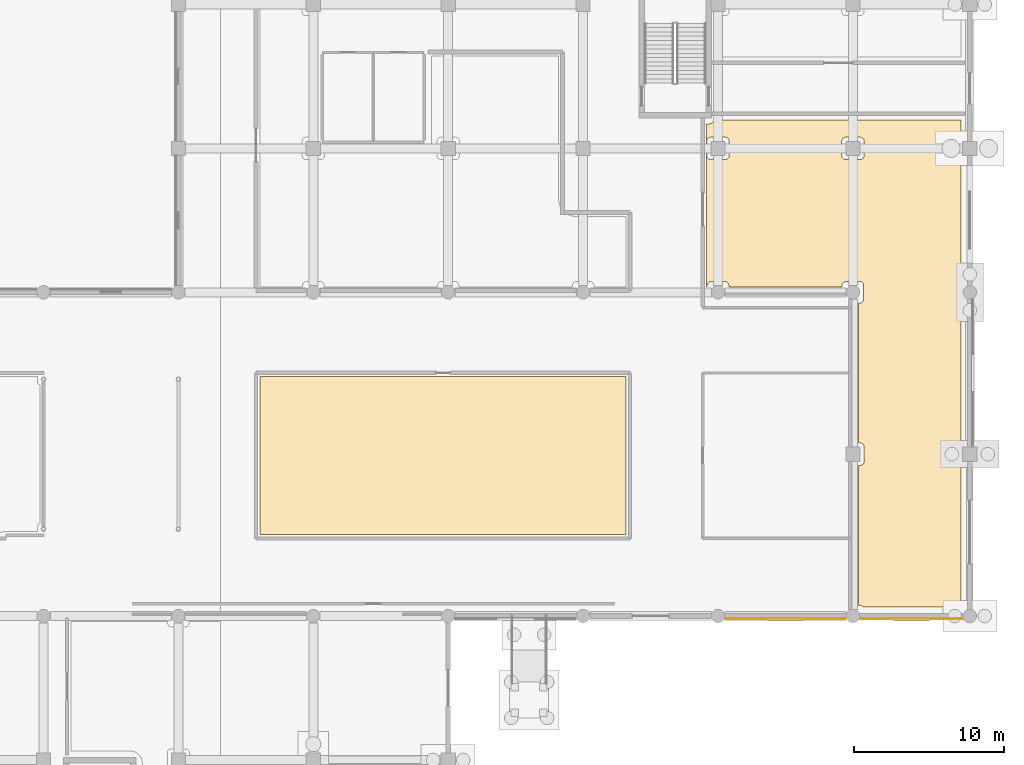
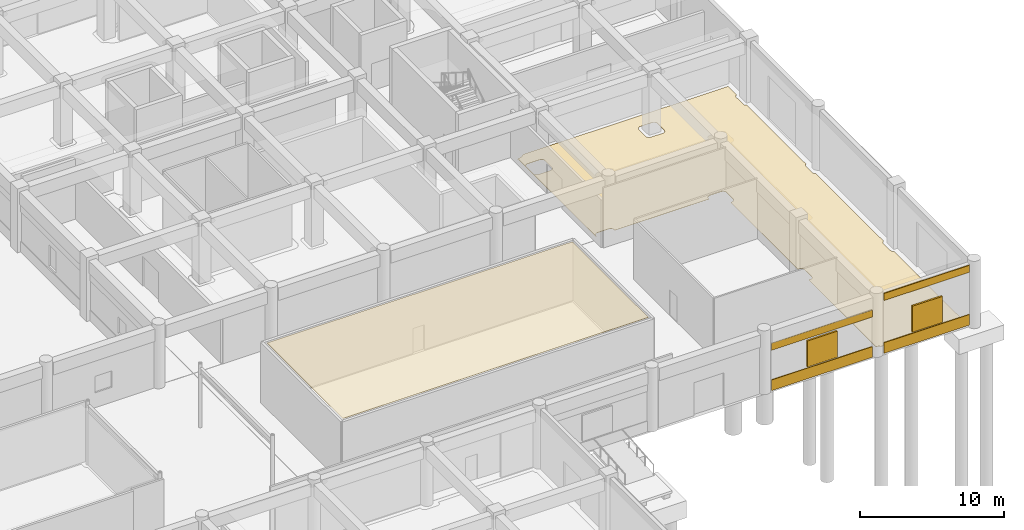
# One storey, part 69 of 74: 6 coverings, 2 shading devices.
"""IFC4 building model written with IfcOpenShell, lengths in metres."""

from ifc_helpers import new_model, si_unit, direction, frame, origin, origin_2d, place, context, subcontext, project, spatial, polyline, rectangle, outline, extrude, material, layer, layer_set, type_object, element, save


model = new_model("IFC4")

# Units and contexts
model_context = context("Model", 3, precision=1e-05, world=origin(), true_north=direction((0.0, 1.0)))
body_context = subcontext(model_context, "Body", "Model", "MODEL_VIEW")
ifc_project = project(units=[si_unit("LENGTHUNIT", "METRE"), si_unit("AREAUNIT", "SQUARE_METRE"), si_unit("VOLUMEUNIT", "CUBIC_METRE"), si_unit("PLANEANGLEUNIT", "RADIAN"), si_unit("MASSUNIT", "GRAM", prefix="KILO")], contexts=[model_context])

# Site, building, storey
site_placement = place(None, origin())
site = spatial("IfcSite", under=ifc_project, at=site_placement, CompositionType="ELEMENT")
building_placement = place(site_placement, origin())
building = spatial("IfcBuilding", under=site, at=building_placement, Name="Cendralis Terraced Arcade", CompositionType="ELEMENT")
storey_placement = place(building_placement, origin())
storey = spatial("IfcBuildingStorey", under=building, at=storey_placement, Name="L00", CompositionType="ELEMENT", Elevation=0.0)

# Coverings
ifc_material_1 = material(Name="Warm Andean oak timber", Category="wood")
ifc_layer_1 = layer(ifc_material_1, 0.034912109375, Name="COV-CEIL-OAK-35")
ifc_layer_set_1 = layer_set([ifc_layer_1], Name="Warm Andean oak timber")
covering_type_1 = type_object("IfcCoveringType", Name="COV-CEIL-OAK-35", PredefinedType="CEILING", material=ifc_layer_set_1)
covering_1_placement = place(storey_placement, frame((0.0, 0.0, 5.054931640625)))
element("IfcCovering", 1, at=covering_1_placement, inside=storey, type_object=covering_type_1, Name="Acoustic Soffit Ceiling L00-033", PredefinedType="CEILING", context=body_context, shape_type="SweptSolid", body=[
    extrude(outline(polyline([(151.070068359375, 43.830078125), (126.6298828125, 43.830078125), (126.6298828125, 54.3701171875), (151.070068359375, 54.3701171875), (151.070068359375, 43.830078125)])), origin(), (0.0, 0.0, 1.0), 0.03515625),
])
ifc_material_2 = material(Name="Precast concrete f'c 40 MPa", Category="concrete")
ifc_layer_2 = layer(ifc_material_2, 0.06494140625, Name="COV-CLAD-GRC-65")
ifc_layer_set_2 = layer_set([ifc_layer_2], Name="Precast concrete f'c 40 MPa")
covering_type_2 = type_object("IfcCoveringType", Name="COV-CLAD-GRC-65", PredefinedType="CLADDING", material=ifc_layer_set_2)
covering_2_placement = place(storey_placement, frame((170.10009765625, 38.2099609375, 0.0), z_axis=(0.0, 0.0, 1.0), x_axis=(-1.0, 0.0, 0.0)))
element("IfcCovering", 2, at=covering_2_placement, inside=storey, type_object=covering_type_2, Name="Banded Precast Stone Spandrel Cladding L00-065", PredefinedType="CLADDING", context=body_context, shape_type="SweptSolid", body=[
    extrude(rectangle(XDim=6.843994140625, YDim=0.06494140625, at=origin_2d()), origin(), (0.0, 0.0, 1.0), 0.89990234375),
])
covering_3_placement = place(storey_placement, frame((170.10009765625, 38.2099609375, 4.469970703125), z_axis=(0.0, 0.0, 1.0), x_axis=(-1.0, 0.0, 0.0)))
element("IfcCovering", 3, at=covering_3_placement, inside=storey, type_object=covering_type_2, Name="Banded Precast Stone Lintel Cladding L00-066", PredefinedType="CLADDING", context=body_context, shape_type="SweptSolid", body=[
    extrude(rectangle(XDim=6.843994140625, YDim=0.06494140625, at=origin_2d()), origin(), (0.0, 0.0, 1.0), 0.60009765625),
])
covering_4_placement = place(storey_placement, frame((161.699951171875, 38.2099609375, 0.0), z_axis=(0.0, 0.0, 1.0), x_axis=(-1.0, 0.0, 0.0)))
element("IfcCovering", 4, at=covering_4_placement, inside=storey, type_object=covering_type_2, Name="Banded Precast Stone Spandrel Cladding L00-067", PredefinedType="CLADDING", context=body_context, shape_type="SweptSolid", body=[
    extrude(rectangle(XDim=8.0439453125, YDim=0.06494140625, at=origin_2d()), origin(), (0.0, 0.0, 1.0), 0.89990234375),
])
covering_5_placement = place(storey_placement, frame((161.699951171875, 38.2099609375, 3.409912109375), z_axis=(0.0, 0.0, 1.0), x_axis=(-1.0, 0.0, 0.0)))
element("IfcCovering", 5, at=covering_5_placement, inside=storey, type_object=covering_type_2, Name="Banded Precast Stone Lintel Cladding L00-068", PredefinedType="CLADDING", context=body_context, shape_type="SweptSolid", body=[
    extrude(rectangle(XDim=8.0439453125, YDim=0.06494140625, at=origin_2d()), origin(), (0.0, 0.0, 1.0), 0.60009765625),
])
ifc_layer_3 = layer(ifc_material_1, 0.02197265625, Name="COV-FLR-OAK-22")
ifc_layer_set_3 = layer_set([ifc_layer_3], Name="Warm Andean oak timber")
covering_type_3 = type_object("IfcCoveringType", Name="COV-FLR-OAK-22", PredefinedType="FLOORING", material=ifc_layer_set_3)
covering_6_placement = place(storey_placement, origin())
element("IfcCovering", 6, at=covering_6_placement, inside=storey, type_object=covering_type_3, Name="Interior Finish Flooring L00-047", PredefinedType="FLOORING", context=body_context, shape_type="SweptSolid", body=[
    extrude(outline(polyline([(156.406005859375, 71.210205078125), (156.412109375, 71.210205078125), (156.418212890625, 71.21044921875), (156.459228515625, 71.21240234375), (156.4716796875, 71.21337890625), (156.4833984375, 71.214599609375), (156.49560546875, 71.216064453125), (156.5361328125, 71.22216796875), (156.54833984375, 71.22412109375), (156.559814453125, 71.2265625), (156.57177734375, 71.229248046875), (156.61181640625, 71.2392578125), (156.62353515625, 71.242431640625), (156.635009765625, 71.245849609375), (156.646484375, 71.249755859375), (156.685302734375, 71.263671875), (156.69677734375, 71.26806640625), (156.707763671875, 71.2724609375), (156.718994140625, 71.277587890625), (156.756103515625, 71.295166015625), (156.76708984375, 71.300537109375), (156.777587890625, 71.30615234375), (156.7880859375, 71.312255859375), (156.823486328125, 71.33349609375), (156.833984375, 71.340087890625), (156.84375, 71.346435546875), (156.853759765625, 71.353515625), (156.886962890625, 71.378173828125), (156.896484375, 71.3857421875), (156.905517578125, 71.393310546875), (156.914794921875, 71.401123046875), (156.945556640625, 71.428955078125), (156.954345703125, 71.437255859375), (156.962646484375, 71.44580078125), (156.97119140625, 71.45458984375), (156.998779296875, 71.485107421875), (157.003173828125, 71.489990234375), (173.409912109375, 71.489990234375), (173.409912109375, 70.3193359375), (173.40869140625, 70.318603515625), (173.386962890625, 70.30712890625), (173.385498046875, 70.30615234375), (173.364990234375, 70.29248046875), (173.36328125, 70.291259765625), (173.344482421875, 70.275634765625), (173.343017578125, 70.2744140625), (173.32568359375, 70.257080078125), (173.32421875, 70.255615234375), (173.30859375, 70.236572265625), (173.3076171875, 70.235107421875), (173.2939453125, 70.214599609375), (173.29296875, 70.212890625), (173.281494140625, 70.19140625), (173.280517578125, 70.189453125), (173.27099609375, 70.1669921875), (173.2705078125, 70.1650390625), (173.263427734375, 70.1416015625), (173.262939453125, 70.1396484375), (173.258056640625, 70.115478515625), (173.2578125, 70.113525390625), (173.25537109375, 70.089111328125), (173.25537109375, 70.08740234375), (173.2548828125, 70.074951171875), (173.2548828125, 69.125), (173.25537109375, 69.11279296875), (173.25537109375, 69.11083984375), (173.2578125, 69.08642578125), (173.258056640625, 69.08447265625), (173.262939453125, 69.060302734375), (173.263427734375, 69.058349609375), (173.2705078125, 69.034912109375), (173.27099609375, 69.033203125), (173.280517578125, 69.010498046875), (173.281494140625, 69.0087890625), (173.29296875, 68.987060546875), (173.2939453125, 68.9853515625), (173.3076171875, 68.965087890625), (173.30859375, 68.96337890625), (173.32421875, 68.9443359375), (173.32568359375, 68.943115234375), (173.343017578125, 68.925537109375), (173.344482421875, 68.92431640625), (173.36328125, 68.90869140625), (173.364990234375, 68.90771484375), (173.385498046875, 68.893798828125), (173.386962890625, 68.892822265625), (173.40869140625, 68.88134765625), (173.409912109375, 68.880615234375), (173.409912109375, 60.680908203125), (173.389892578125, 60.66748046875), (173.388427734375, 60.666259765625), (173.369384765625, 60.650634765625), (173.367919921875, 60.6494140625), (173.3505859375, 60.632080078125), (173.349365234375, 60.630615234375), (173.333740234375, 60.611572265625), (173.33251953125, 60.610107421875), (173.31884765625, 60.589599609375), (173.31787109375, 60.587890625), (173.306396484375, 60.56640625), (173.305419921875, 60.564453125), (173.296142578125, 60.5419921875), (173.29541015625, 60.5400390625), (173.288330078125, 60.5166015625), (173.287841796875, 60.5146484375), (173.283203125, 60.490478515625), (173.28271484375, 60.488525390625), (173.280517578125, 60.464111328125), (173.2802734375, 60.46240234375), (173.280029296875, 60.449951171875), (173.280029296875, 59.550048828125), (173.2802734375, 59.53759765625), (173.280517578125, 59.535888671875), (173.28271484375, 59.511474609375), (173.283203125, 59.509521484375), (173.287841796875, 59.4853515625), (173.288330078125, 59.4833984375), (173.29541015625, 59.4599609375), (173.296142578125, 59.4580078125), (173.305419921875, 59.435546875), (173.306396484375, 59.43359375), (173.31787109375, 59.412109375), (173.31884765625, 59.410400390625), (173.33251953125, 59.389892578125), (173.333740234375, 59.388427734375), (173.349365234375, 59.369384765625), (173.3505859375, 59.367919921875), (173.367919921875, 59.3505859375), (173.369384765625, 59.349365234375), (173.388427734375, 59.333740234375), (173.389892578125, 59.33251953125), (173.409912109375, 59.319091796875), (173.409912109375, 49.919189453125), (173.40869140625, 49.918701171875), (173.386962890625, 49.906982421875), (173.385498046875, 49.906005859375), (173.364990234375, 49.892333984375), (173.36328125, 49.891357421875), (173.344482421875, 49.875732421875), (173.343017578125, 49.87451171875), (173.32568359375, 49.85693359375), (173.32421875, 49.855712890625), (173.30859375, 49.836669921875), (173.3076171875, 49.8349609375), (173.2939453125, 49.814697265625), (173.29296875, 49.81298828125), (173.281494140625, 49.791259765625), (173.280517578125, 49.78955078125), (173.27099609375, 49.766845703125), (173.2705078125, 49.764892578125), (173.263427734375, 49.74169921875), (173.262939453125, 49.739501953125), (173.258056640625, 49.715576171875), (173.2578125, 49.713623046875), (173.25537109375, 49.689208984375), (173.25537109375, 49.687255859375), (173.2548828125, 49.675048828125), (173.2548828125, 48.72509765625), (173.25537109375, 48.712646484375), (173.25537109375, 48.710693359375), (173.2578125, 48.686279296875), (173.258056640625, 48.684326171875), (173.262939453125, 48.660400390625), (173.263427734375, 48.658447265625), (173.2705078125, 48.635009765625), (173.27099609375, 48.633056640625), (173.280517578125, 48.610595703125), (173.281494140625, 48.608642578125), (173.29296875, 48.5869140625), (173.2939453125, 48.58544921875), (173.3076171875, 48.56494140625), (173.30859375, 48.5634765625), (173.32421875, 48.54443359375), (173.32568359375, 48.54296875), (173.343017578125, 48.525634765625), (173.344482421875, 48.5244140625), (173.36328125, 48.5087890625), (173.364990234375, 48.507568359375), (173.385498046875, 48.493896484375), (173.386962890625, 48.492919921875), (173.40869140625, 48.4814453125), (173.409912109375, 48.480712890625), (173.409912109375, 39.080810546875), (173.389892578125, 39.0673828125), (173.388427734375, 39.06640625), (173.369384765625, 39.05078125), (173.367919921875, 39.04931640625), (173.3505859375, 39.031982421875), (173.349365234375, 39.030517578125), (173.333740234375, 39.01171875), (173.33251953125, 39.010009765625), (173.319091796875, 38.989990234375), (166.880859375, 38.989990234375), (166.867431640625, 39.010009765625), (166.8662109375, 39.01171875), (166.8505859375, 39.030517578125), (166.849365234375, 39.031982421875), (166.83203125, 39.04931640625), (166.83056640625, 39.05078125), (166.8115234375, 39.06640625), (166.81005859375, 39.0673828125), (166.78955078125, 39.0810546875), (166.7880859375, 39.08203125), (166.766357421875, 39.093505859375), (166.764404296875, 39.094482421875), (166.741943359375, 39.10400390625), (166.739990234375, 39.1044921875), (166.716552734375, 39.111572265625), (166.714599609375, 39.112060546875), (166.690673828125, 39.116943359375), (166.688720703125, 39.1171875), (166.664306640625, 39.11962890625), (166.662353515625, 39.11962890625), (166.64990234375, 39.1201171875), (166.570068359375, 39.1201171875), (166.570068359375, 48.455078125), (166.675048828125, 48.455078125), (166.687255859375, 48.455322265625), (166.689208984375, 48.455322265625), (166.713623046875, 48.457763671875), (166.715576171875, 48.4580078125), (166.739501953125, 48.462890625), (166.74169921875, 48.46337890625), (166.764892578125, 48.470458984375), (166.766845703125, 48.47119140625), (166.78955078125, 48.48046875), (166.791259765625, 48.4814453125), (166.81298828125, 48.492919921875), (166.814697265625, 48.493896484375), (166.8349609375, 48.507568359375), (166.836669921875, 48.5087890625), (166.855712890625, 48.5244140625), (166.85693359375, 48.525634765625), (166.87451171875, 48.54296875), (166.875732421875, 48.54443359375), (166.891357421875, 48.5634765625), (166.892333984375, 48.56494140625), (166.906005859375, 48.58544921875), (166.906982421875, 48.5869140625), (166.918701171875, 48.608642578125), (166.91943359375, 48.610595703125), (166.928955078125, 48.633056640625), (166.929443359375, 48.635009765625), (166.9365234375, 48.658447265625), (166.93701171875, 48.660400390625), (166.94189453125, 48.684326171875), (166.942138671875, 48.686279296875), (166.944580078125, 48.710693359375), (166.944580078125, 48.712646484375), (166.945068359375, 48.72509765625), (166.945068359375, 49.675048828125), (166.944580078125, 49.687255859375), (166.944580078125, 49.689208984375), (166.942138671875, 49.713623046875), (166.94189453125, 49.715576171875), (166.93701171875, 49.739501953125), (166.9365234375, 49.74169921875), (166.929443359375, 49.764892578125), (166.928955078125, 49.766845703125), (166.91943359375, 49.78955078125), (166.918701171875, 49.791259765625), (166.906982421875, 49.81298828125), (166.906005859375, 49.814697265625), (166.892333984375, 49.8349609375), (166.891357421875, 49.836669921875), (166.875732421875, 49.855712890625), (166.87451171875, 49.85693359375), (166.85693359375, 49.87451171875), (166.855712890625, 49.875732421875), (166.836669921875, 49.891357421875), (166.8349609375, 49.892333984375), (166.814697265625, 49.906005859375), (166.81298828125, 49.906982421875), (166.791259765625, 49.918701171875), (166.78955078125, 49.91943359375), (166.766845703125, 49.928955078125), (166.764892578125, 49.929443359375), (166.74169921875, 49.9365234375), (166.739501953125, 49.93701171875), (166.715576171875, 49.94189453125), (166.713623046875, 49.942138671875), (166.689208984375, 49.944580078125), (166.687255859375, 49.944580078125), (166.675048828125, 49.945068359375), (166.570068359375, 49.945068359375), (166.570068359375, 59.280029296875), (166.64990234375, 59.280029296875), (166.662353515625, 59.2802734375), (166.664306640625, 59.280517578125), (166.688720703125, 59.28271484375), (166.690673828125, 59.283203125), (166.714599609375, 59.287841796875), (166.716552734375, 59.288330078125), (166.739990234375, 59.29541015625), (166.741943359375, 59.296142578125), (166.764404296875, 59.305419921875), (166.766357421875, 59.306396484375), (166.7880859375, 59.31787109375), (166.78955078125, 59.31884765625), (166.81005859375, 59.33251953125), (166.8115234375, 59.333740234375), (166.83056640625, 59.349365234375), (166.83203125, 59.3505859375), (166.849365234375, 59.367919921875), (166.8505859375, 59.369384765625), (166.8662109375, 59.388427734375), (166.867431640625, 59.389892578125), (166.881103515625, 59.410400390625), (166.882080078125, 59.412109375), (166.8935546875, 59.43359375), (166.89453125, 59.435546875), (166.90380859375, 59.4580078125), (166.904541015625, 59.4599609375), (166.91162109375, 59.4833984375), (166.912109375, 59.4853515625), (166.9169921875, 59.509521484375), (166.917236328125, 59.511474609375), (166.919677734375, 59.535888671875), (166.919677734375, 59.53759765625), (166.919921875, 59.550048828125), (166.919921875, 60.449951171875), (166.919677734375, 60.46240234375), (166.919677734375, 60.464111328125), (166.917236328125, 60.488525390625), (166.9169921875, 60.490478515625), (166.912109375, 60.5146484375), (166.91162109375, 60.5166015625), (166.904541015625, 60.5400390625), (166.90380859375, 60.5419921875), (166.89453125, 60.564453125), (166.8935546875, 60.56640625), (166.882080078125, 60.587890625), (166.881103515625, 60.589599609375), (166.867431640625, 60.610107421875), (166.8662109375, 60.611572265625), (166.8505859375, 60.630615234375), (166.849365234375, 60.632080078125), (166.83203125, 60.6494140625), (166.83056640625, 60.650634765625), (166.8115234375, 60.666259765625), (166.81005859375, 60.66748046875), (166.78955078125, 60.68115234375), (166.7880859375, 60.68212890625), (166.766357421875, 60.693603515625), (166.764404296875, 60.694580078125), (166.741943359375, 60.703857421875), (166.739990234375, 60.70458984375), (166.716552734375, 60.711669921875), (166.714599609375, 60.712158203125), (166.690673828125, 60.716796875), (166.688720703125, 60.71728515625), (166.664306640625, 60.719482421875), (166.662353515625, 60.7197265625), (166.64990234375, 60.719970703125), (165.75, 60.719970703125), (165.73779296875, 60.7197265625), (165.73583984375, 60.719482421875), (165.71142578125, 60.71728515625), (165.70947265625, 60.716796875), (165.685302734375, 60.712158203125), (165.683349609375, 60.711669921875), (165.659912109375, 60.70458984375), (165.658203125, 60.703857421875), (165.635498046875, 60.694580078125), (165.6337890625, 60.693603515625), (165.612060546875, 60.68212890625), (165.6103515625, 60.68115234375), (165.590087890625, 60.66748046875), (165.58837890625, 60.666259765625), (165.5693359375, 60.650634765625), (165.568115234375, 60.6494140625), (165.550537109375, 60.632080078125), (165.54931640625, 60.630615234375), (165.53369140625, 60.611572265625), (165.53271484375, 60.610107421875), (165.518798828125, 60.589599609375), (165.517822265625, 60.587890625), (165.50634765625, 60.56640625), (165.505615234375, 60.564453125), (165.49609375, 60.5419921875), (165.49560546875, 60.5400390625), (165.48828125, 60.5166015625), (165.48779296875, 60.5146484375), (165.483154296875, 60.490478515625), (165.48291015625, 60.488525390625), (165.48046875, 60.464111328125), (165.480224609375, 60.46240234375), (165.47998046875, 60.449951171875), (165.47998046875, 60.3701171875), (157.919921875, 60.3701171875), (157.919921875, 60.449951171875), (157.919677734375, 60.46240234375), (157.919677734375, 60.464111328125), (157.917236328125, 60.488525390625), (157.9169921875, 60.490478515625), (157.912109375, 60.5146484375), (157.91162109375, 60.5166015625), (157.904541015625, 60.5400390625), (157.90380859375, 60.5419921875), (157.89453125, 60.564453125), (157.8935546875, 60.56640625), (157.882080078125, 60.587890625), (157.881103515625, 60.589599609375), (157.867431640625, 60.610107421875), (157.8662109375, 60.611572265625), (157.8505859375, 60.630615234375), (157.849365234375, 60.632080078125), (157.83203125, 60.6494140625), (157.83056640625, 60.650634765625), (157.8115234375, 60.666259765625), (157.81005859375, 60.66748046875), (157.78955078125, 60.68115234375), (157.7880859375, 60.68212890625), (157.766357421875, 60.693603515625), (157.764404296875, 60.694580078125), (157.741943359375, 60.703857421875), (157.739990234375, 60.70458984375), (157.716552734375, 60.711669921875), (157.714599609375, 60.712158203125), (157.690673828125, 60.716796875), (157.688720703125, 60.71728515625), (157.664306640625, 60.719482421875), (157.662353515625, 60.7197265625), (157.64990234375, 60.719970703125), (156.75, 60.719970703125), (156.73779296875, 60.7197265625), (156.73583984375, 60.719482421875), (156.71142578125, 60.71728515625), (156.70947265625, 60.716796875), (156.685302734375, 60.712158203125), (156.683349609375, 60.711669921875), (156.659912109375, 60.70458984375), (156.658203125, 60.703857421875), (156.635498046875, 60.694580078125), (156.6337890625, 60.693603515625), (156.612060546875, 60.68212890625), (156.6103515625, 60.68115234375), (156.590087890625, 60.66748046875), (156.58837890625, 60.666259765625), (156.5693359375, 60.650634765625), (156.568115234375, 60.6494140625), (156.550537109375, 60.632080078125), (156.54931640625, 60.630615234375), (156.53369140625, 60.611572265625), (156.53271484375, 60.610107421875), (156.518798828125, 60.589599609375), (156.517822265625, 60.587890625), (156.50634765625, 60.56640625), (156.505615234375, 60.564453125), (156.49609375, 60.5419921875), (156.49560546875, 60.5400390625), (156.48828125, 60.5166015625), (156.48779296875, 60.5146484375), (156.483154296875, 60.490478515625), (156.48291015625, 60.488525390625), (156.48046875, 60.464111328125), (156.480224609375, 60.46240234375), (156.47998046875, 60.449951171875), (156.47998046875, 60.3701171875), (156.429931640625, 60.3701171875), (156.429931640625, 70.9599609375), (156.429931640625, 70.963134765625), (156.429931640625, 70.966064453125), (156.429931640625, 70.968994140625), (156.4296875, 70.97509765625), (156.4296875, 70.97802734375), (156.429443359375, 70.98095703125), (156.429443359375, 70.98388671875), (156.426513671875, 71.044921875), (156.426025390625, 71.05078125), (156.425537109375, 71.056884765625), (156.425048828125, 71.06298828125), (156.423828125, 71.07470703125), (156.42333984375, 71.080810546875), (156.422607421875, 71.086669921875), (156.421630859375, 71.0927734375), (156.412841796875, 71.15283203125), (156.411865234375, 71.158935546875), (156.410888671875, 71.164794921875), (156.40966796875, 71.170654296875), (156.407470703125, 71.182373046875), (156.406005859375, 71.188232421875), (156.40478515625, 71.194091796875), (156.4033203125, 71.199951171875), (156.40087890625, 71.2099609375), (156.406005859375, 71.210205078125)]), holes=[polyline([(165.58544921875, 68.893798828125), (165.5869140625, 68.892822265625), (165.608642578125, 68.88134765625), (165.610595703125, 68.880615234375), (165.633056640625, 68.87109375), (165.635009765625, 68.87060546875), (165.658447265625, 68.86328125), (165.660400390625, 68.86279296875), (165.684326171875, 68.858154296875), (165.686279296875, 68.85791015625), (165.710693359375, 68.85546875), (165.712646484375, 68.855224609375), (165.72509765625, 68.85498046875), (166.675048828125, 68.85498046875), (166.687255859375, 68.855224609375), (166.689208984375, 68.85546875), (166.713623046875, 68.85791015625), (166.715576171875, 68.858154296875), (166.739501953125, 68.86279296875), (166.74169921875, 68.86328125), (166.764892578125, 68.87060546875), (166.766845703125, 68.87109375), (166.78955078125, 68.880615234375), (166.791259765625, 68.88134765625), (166.81298828125, 68.892822265625), (166.814697265625, 68.893798828125), (166.8349609375, 68.90771484375), (166.836669921875, 68.90869140625), (166.855712890625, 68.92431640625), (166.85693359375, 68.925537109375), (166.87451171875, 68.943115234375), (166.875732421875, 68.9443359375), (166.891357421875, 68.96337890625), (166.892333984375, 68.965087890625), (166.906005859375, 68.9853515625), (166.906982421875, 68.987060546875), (166.918701171875, 69.0087890625), (166.91943359375, 69.010498046875), (166.928955078125, 69.033203125), (166.929443359375, 69.034912109375), (166.9365234375, 69.058349609375), (166.93701171875, 69.060302734375), (166.94189453125, 69.08447265625), (166.942138671875, 69.08642578125), (166.944580078125, 69.11083984375), (166.944580078125, 69.11279296875), (166.945068359375, 69.125), (166.945068359375, 70.074951171875), (166.944580078125, 70.08740234375), (166.944580078125, 70.089111328125), (166.942138671875, 70.113525390625), (166.94189453125, 70.115478515625), (166.93701171875, 70.1396484375), (166.9365234375, 70.1416015625), (166.929443359375, 70.1650390625), (166.928955078125, 70.1669921875), (166.91943359375, 70.189453125), (166.918701171875, 70.19140625), (166.906982421875, 70.212890625), (166.906005859375, 70.214599609375), (166.892333984375, 70.235107421875), (166.891357421875, 70.236572265625), (166.875732421875, 70.255615234375), (166.87451171875, 70.257080078125), (166.85693359375, 70.2744140625), (166.855712890625, 70.275634765625), (166.836669921875, 70.291259765625), (166.8349609375, 70.29248046875), (166.814697265625, 70.30615234375), (166.81298828125, 70.30712890625), (166.791259765625, 70.318603515625), (166.78955078125, 70.319580078125), (166.766845703125, 70.328857421875), (166.764892578125, 70.32958984375), (166.74169921875, 70.336669921875), (166.739501953125, 70.337158203125), (166.715576171875, 70.341796875), (166.713623046875, 70.34228515625), (166.689208984375, 70.344482421875), (166.687255859375, 70.3447265625), (166.675048828125, 70.344970703125), (165.72509765625, 70.344970703125), (165.712646484375, 70.3447265625), (165.710693359375, 70.344482421875), (165.686279296875, 70.34228515625), (165.684326171875, 70.341796875), (165.660400390625, 70.337158203125), (165.658447265625, 70.336669921875), (165.635009765625, 70.32958984375), (165.633056640625, 70.328857421875), (165.610595703125, 70.319580078125), (165.608642578125, 70.318603515625), (165.5869140625, 70.30712890625), (165.58544921875, 70.30615234375), (165.56494140625, 70.29248046875), (165.5634765625, 70.291259765625), (165.54443359375, 70.275634765625), (165.54296875, 70.2744140625), (165.525634765625, 70.257080078125), (165.5244140625, 70.255615234375), (165.5087890625, 70.236572265625), (165.507568359375, 70.235107421875), (165.493896484375, 70.214599609375), (165.492919921875, 70.212890625), (165.4814453125, 70.19140625), (165.48046875, 70.189453125), (165.47119140625, 70.1669921875), (165.470458984375, 70.1650390625), (165.46337890625, 70.1416015625), (165.462890625, 70.1396484375), (165.4580078125, 70.115478515625), (165.457763671875, 70.113525390625), (165.455322265625, 70.089111328125), (165.455322265625, 70.08740234375), (165.455078125, 70.074951171875), (165.455078125, 69.125), (165.455322265625, 69.11279296875), (165.455322265625, 69.11083984375), (165.457763671875, 69.08642578125), (165.4580078125, 69.08447265625), (165.462890625, 69.060302734375), (165.46337890625, 69.058349609375), (165.470458984375, 69.034912109375), (165.47119140625, 69.033203125), (165.48046875, 69.010498046875), (165.4814453125, 69.0087890625), (165.492919921875, 68.987060546875), (165.493896484375, 68.9853515625), (165.507568359375, 68.965087890625), (165.5087890625, 68.96337890625), (165.5244140625, 68.9443359375), (165.525634765625, 68.943115234375), (165.54296875, 68.925537109375), (165.54443359375, 68.92431640625), (165.5634765625, 68.90869140625), (165.56494140625, 68.90771484375), (165.58544921875, 68.893798828125)]), polyline([(156.608642578125, 68.88134765625), (156.610595703125, 68.880615234375), (156.633056640625, 68.87109375), (156.635009765625, 68.87060546875), (156.658447265625, 68.86328125), (156.660400390625, 68.86279296875), (156.684326171875, 68.858154296875), (156.686279296875, 68.85791015625), (156.710693359375, 68.85546875), (156.712646484375, 68.855224609375), (156.72509765625, 68.85498046875), (157.675048828125, 68.85498046875), (157.687255859375, 68.855224609375), (157.689208984375, 68.85546875), (157.713623046875, 68.85791015625), (157.715576171875, 68.858154296875), (157.739501953125, 68.86279296875), (157.74169921875, 68.86328125), (157.764892578125, 68.87060546875), (157.766845703125, 68.87109375), (157.78955078125, 68.880615234375), (157.791259765625, 68.88134765625), (157.81298828125, 68.892822265625), (157.814697265625, 68.893798828125), (157.8349609375, 68.90771484375), (157.836669921875, 68.90869140625), (157.855712890625, 68.92431640625), (157.85693359375, 68.925537109375), (157.87451171875, 68.943115234375), (157.875732421875, 68.9443359375), (157.891357421875, 68.96337890625), (157.892333984375, 68.965087890625), (157.906005859375, 68.9853515625), (157.906982421875, 68.987060546875), (157.918701171875, 69.0087890625), (157.91943359375, 69.010498046875), (157.928955078125, 69.033203125), (157.929443359375, 69.034912109375), (157.9365234375, 69.058349609375), (157.93701171875, 69.060302734375), (157.94189453125, 69.08447265625), (157.942138671875, 69.08642578125), (157.944580078125, 69.11083984375), (157.944580078125, 69.11279296875), (157.945068359375, 69.125), (157.945068359375, 70.074951171875), (157.944580078125, 70.08740234375), (157.944580078125, 70.089111328125), (157.942138671875, 70.113525390625), (157.94189453125, 70.115478515625), (157.93701171875, 70.1396484375), (157.9365234375, 70.1416015625), (157.929443359375, 70.1650390625), (157.928955078125, 70.1669921875), (157.91943359375, 70.189453125), (157.918701171875, 70.19140625), (157.906982421875, 70.212890625), (157.906005859375, 70.214599609375), (157.892333984375, 70.235107421875), (157.891357421875, 70.236572265625), (157.875732421875, 70.255615234375), (157.87451171875, 70.257080078125), (157.85693359375, 70.2744140625), (157.855712890625, 70.275634765625), (157.836669921875, 70.291259765625), (157.8349609375, 70.29248046875), (157.814697265625, 70.30615234375), (157.81298828125, 70.30712890625), (157.791259765625, 70.318603515625), (157.78955078125, 70.319580078125), (157.766845703125, 70.328857421875), (157.764892578125, 70.32958984375), (157.74169921875, 70.336669921875), (157.739501953125, 70.337158203125), (157.715576171875, 70.341796875), (157.713623046875, 70.34228515625), (157.689208984375, 70.344482421875), (157.687255859375, 70.3447265625), (157.675048828125, 70.344970703125), (156.72509765625, 70.344970703125), (156.712646484375, 70.3447265625), (156.710693359375, 70.344482421875), (156.686279296875, 70.34228515625), (156.684326171875, 70.341796875), (156.660400390625, 70.337158203125), (156.658447265625, 70.336669921875), (156.635009765625, 70.32958984375), (156.633056640625, 70.328857421875), (156.610595703125, 70.319580078125), (156.608642578125, 70.318603515625), (156.5869140625, 70.30712890625), (156.58544921875, 70.30615234375), (156.56494140625, 70.29248046875), (156.5634765625, 70.291259765625), (156.54443359375, 70.275634765625), (156.54296875, 70.2744140625), (156.525634765625, 70.257080078125), (156.5244140625, 70.255615234375), (156.5087890625, 70.236572265625), (156.507568359375, 70.235107421875), (156.493896484375, 70.214599609375), (156.492919921875, 70.212890625), (156.4814453125, 70.19140625), (156.48046875, 70.189453125), (156.47119140625, 70.1669921875), (156.470458984375, 70.1650390625), (156.46337890625, 70.1416015625), (156.462890625, 70.1396484375), (156.4580078125, 70.115478515625), (156.457763671875, 70.113525390625), (156.455322265625, 70.089111328125), (156.455322265625, 70.08740234375), (156.455078125, 70.074951171875), (156.455078125, 69.125), (156.455322265625, 69.11279296875), (156.455322265625, 69.11083984375), (156.457763671875, 69.08642578125), (156.4580078125, 69.08447265625), (156.462890625, 69.060302734375), (156.46337890625, 69.058349609375), (156.470458984375, 69.034912109375), (156.47119140625, 69.033203125), (156.48046875, 69.010498046875), (156.4814453125, 69.0087890625), (156.492919921875, 68.987060546875), (156.493896484375, 68.9853515625), (156.507568359375, 68.965087890625), (156.5087890625, 68.96337890625), (156.5244140625, 68.9443359375), (156.525634765625, 68.943115234375), (156.54296875, 68.925537109375), (156.54443359375, 68.92431640625), (156.5634765625, 68.90869140625), (156.56494140625, 68.90771484375), (156.58544921875, 68.893798828125), (156.5869140625, 68.892822265625), (156.608642578125, 68.88134765625)])]), origin(), (0.0, 0.0, 1.0), 0.02197265625),
])

# Shading devices
ifc_material_3 = material(Name="Anodised aluminium EN AW-6063 T6", Category="aluminium")
shading_device_type = type_object("IfcShadingDeviceType", Name="SHD-LOUVRE-JAL", PredefinedType="JALOUSIE", material=ifc_material_3)
for number, where, z_axis, x_axis, name in (
    (7, (170.10009765625, 38.175048828125, 1.0498046875), (0.0, 0.0, 1.0), (-1.0, 0.0, 0.0), "Acoustic Plant Intake Jalousie Louvre JAL-L00-09"),
    (8, (161.699951171875, 38.175048828125, 1.0498046875), (0.0, 0.0, 1.0), (-1.0, 0.0, 0.0), "Acoustic Plant Intake Jalousie Louvre JAL-L00-10"),
):
    element("IfcShadingDevice", number, at=place(storey_placement, frame(where, z_axis=z_axis, x_axis=x_axis)), inside=storey, type_object=shading_device_type, Name=name, PredefinedType="JALOUSIE", context=body_context, shape_type="SweptSolid", body=[
        extrude(rectangle(XDim=2.39990234375, YDim=0.139892578125, at=origin_2d()), origin(), (0.0, 0.0, 1.0), 2.199951171875),
    ])

save(model, "model.ifc")
